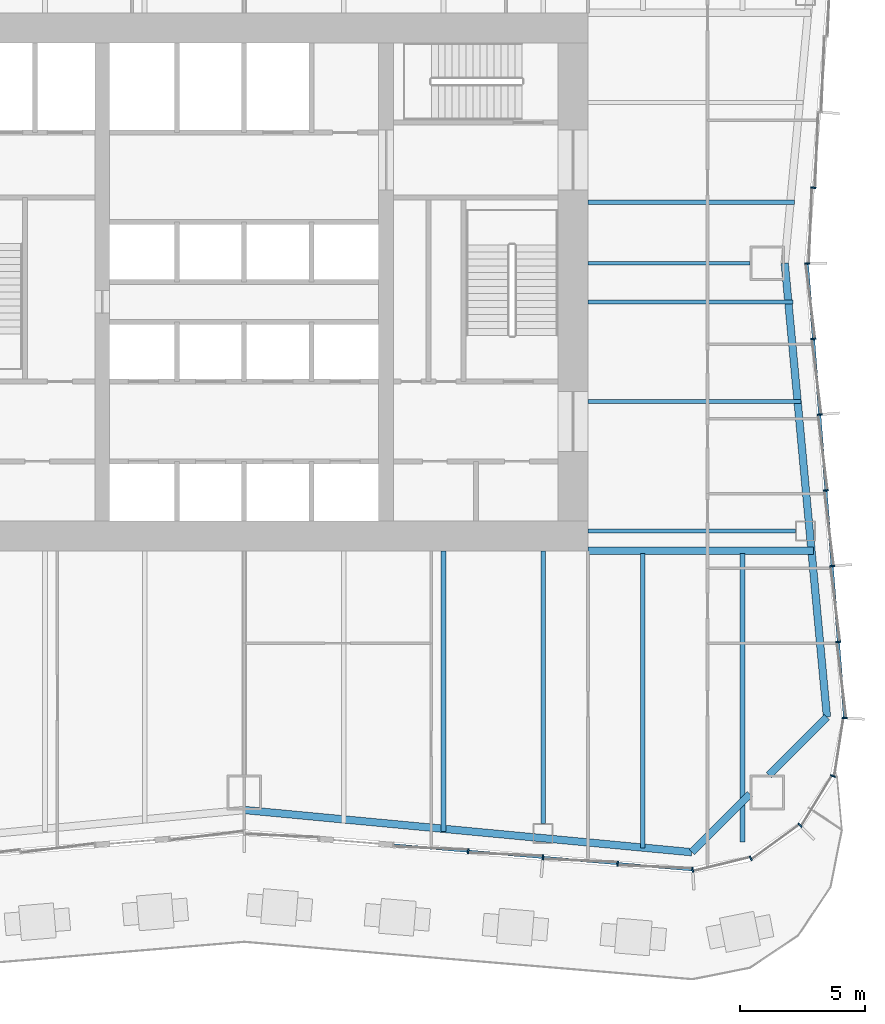
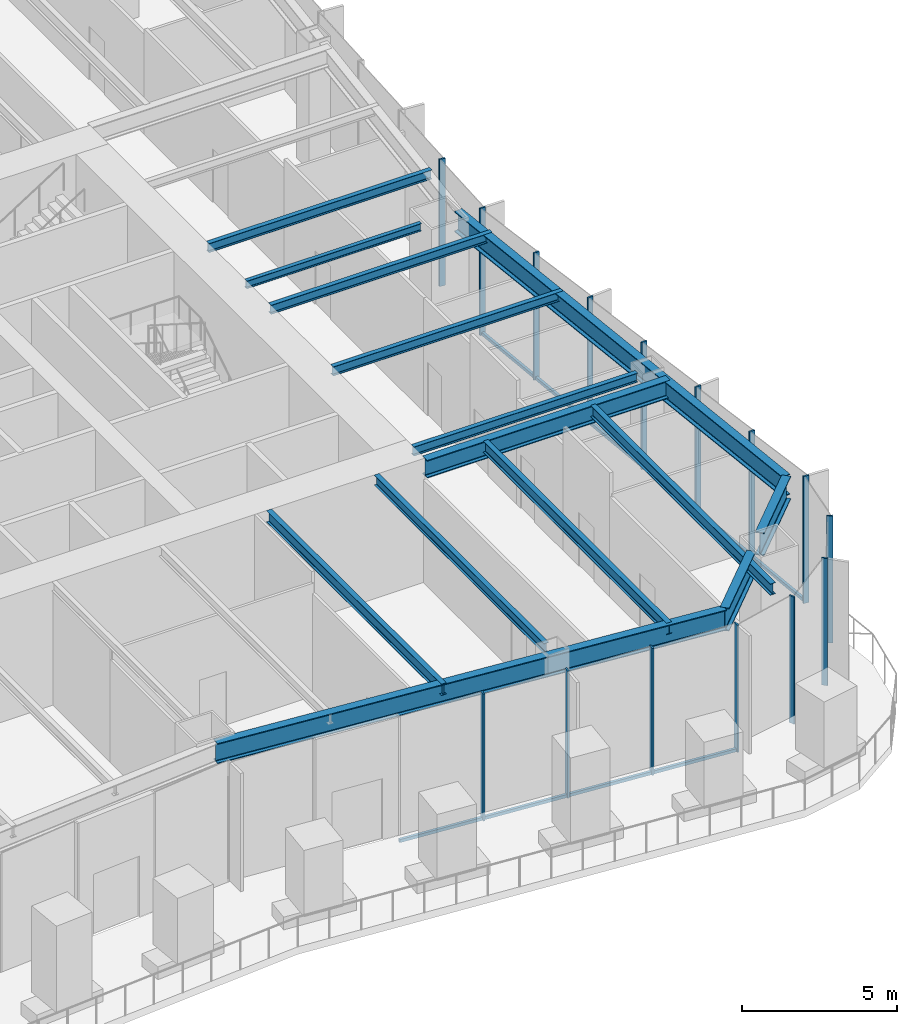
# One storey, part 4 of 15: 17 members, 14 beams, 3 elements without a shape of their own.
"""IFC4 building model written with IfcOpenShell, lengths in metres."""

from ifc_helpers import new_model, si_unit, direction, frame, origin, origin_2d, place, context, subcontext, project, spatial, rectangle, i_section, extrude, material, material_profile, profile_set, type_object, element, aggregate, save


model = new_model("IFC4")

# Units and contexts
model_context = context("Model", 3, precision=1e-05, world=origin(), true_north=direction((0.0, 1.0)))
body_context = subcontext(model_context, "Body", "Model", "MODEL_VIEW")
ifc_project = project(units=[si_unit("LENGTHUNIT", "METRE"), si_unit("AREAUNIT", "SQUARE_METRE"), si_unit("VOLUMEUNIT", "CUBIC_METRE"), si_unit("PLANEANGLEUNIT", "RADIAN"), si_unit("MASSUNIT", "GRAM", prefix="KILO")], contexts=[model_context])

# Site, building, storey
site_placement = place(None, origin())
site = spatial("IfcSite", under=ifc_project, at=site_placement, CompositionType="ELEMENT")
building_placement = place(site_placement, origin())
building = spatial("IfcBuilding", under=site, at=building_placement, Name="Verdant Reach Tower", CompositionType="ELEMENT")
storey_placement = place(building_placement, frame((0.0, 0.0, 65.0)))
storey = spatial("IfcBuildingStorey", under=building, at=storey_placement, Name="L14", CompositionType="ELEMENT", Elevation=65.0)

# Curtain wall, members
ifc_material_1 = material(Name="Anodised aluminium", Category="aluminium")
curtain_wall_type = type_object("IfcCurtainWallType", Name="EN-CW SYSTEM Z1", PredefinedType="NOTDEFINED", material=ifc_material_1)
curtain_wall_1_placement = place(storey_placement, origin())
curtain_wall_1 = element("IfcCurtainWall", 1, at=curtain_wall_1_placement, inside=storey, type_object=curtain_wall_type, Name="Curtain wall south-east corner, L14", PredefinedType="NOTDEFINED")
ifc_material_profile_1 = material_profile(ifc_material_1, rectangle(XDim=0.2060546875, YDim=0.06201171875, at=origin_2d()), Name="Mullion 62x206")
ifc_profile_set_1 = profile_set([ifc_material_profile_1], Name="Anodised aluminium")
member_type_1 = type_object("IfcMemberType", Name="EN-MULLION Z1", PredefinedType="MULLION", material=ifc_profile_set_1)
member_1_placement = place(storey_placement, frame((18.005859375, 4.397216796875, -0.35009765625), z_axis=(0.0, 0.0, 1.0), x_axis=(0.056569187765, -0.998398681387, 0.0)))
member_1 = element("IfcMember", 2, at=member_1_placement, type_object=member_type_1, Name="Mullion south-east corner 1, L14", PredefinedType="MULLION", context=body_context, shape_type="SweptSolid", body=[
    extrude(rectangle(XDim=0.2060546875, YDim=0.06201171875, at=origin_2d()), origin(), (0.0, 0.0, 1.0), 5.0),
])
member_2_placement = place(storey_placement, frame((20.33544921875, 4.861572265625, -0.35009765625), z_axis=(0.0, 0.0, 1.0), x_axis=(0.382693853776, -0.923875215753, 0.0)))
member_2 = element("IfcMember", 3, at=member_2_placement, type_object=member_type_1, Name="Mullion south-east corner 2, L14", PredefinedType="MULLION", context=body_context, shape_type="SweptSolid", body=[
    extrude(rectangle(XDim=0.2060546875, YDim=0.06201171875, at=origin_2d()), origin(), (0.0, 0.0, 1.0), 5.0),
])
member_3_placement = place(storey_placement, frame((22.3154296875, 6.1845703125, -0.35009765625), z_axis=(0.0, 0.0, 1.0), x_axis=(0.707106781187, -0.707106781187, 0.0)))
member_3 = element("IfcMember", 4, at=member_3_placement, type_object=member_type_1, Name="Mullion south-east corner 3, L14", PredefinedType="MULLION", context=body_context, shape_type="SweptSolid", body=[
    extrude(rectangle(XDim=0.2060546875, YDim=0.06201171875, at=origin_2d()), origin(), (0.0, 0.0, 1.0), 5.0),
])
member_4_placement = place(storey_placement, frame((23.638427734375, 8.16455078125, -0.35009765625), z_axis=(0.0, 0.0, 1.0), x_axis=(0.923875215753, -0.382693853776, 0.0)))
member_4 = element("IfcMember", 5, at=member_4_placement, type_object=member_type_1, Name="Mullion south-east corner 4, L14", PredefinedType="MULLION", context=body_context, shape_type="SweptSolid", body=[
    extrude(rectangle(XDim=0.2060546875, YDim=0.06201171875, at=origin_2d()), origin(), (0.0, 0.0, 1.0), 5.0),
])
aggregate(curtain_wall_1, [member_1, member_2, member_3, member_4])

curtain_wall_2_placement = place(storey_placement, origin())
curtain_wall_2 = element("IfcCurtainWall", 6, at=curtain_wall_2_placement, inside=storey, type_object=curtain_wall_type, Name="Curtain wall east, L14", PredefinedType="NOTDEFINED")
member_5_placement = place(storey_placement, frame((24.102783203125, 10.494140625, -0.35009765625), z_axis=(0.0, 0.0, 1.0), x_axis=(0.998366452275, -0.057135164055, 0.0)))
member_5 = element("IfcMember", 7, at=member_5_placement, type_object=member_type_1, Name="Mullion east face part 1 1, L14", PredefinedType="MULLION", context=body_context, shape_type="SweptSolid", body=[
    extrude(rectangle(XDim=0.2060546875, YDim=0.06201171875, at=origin_2d()), origin(), (0.0, 0.0, 1.0), 5.0),
])
member_6_placement = place(storey_placement, frame((23.8525390625, 13.550048828125, -0.35009765625), z_axis=(0.0, 0.0, 1.0), x_axis=(0.996639273542, 0.081915556724, 0.0)))
member_6 = element("IfcMember", 8, at=member_6_placement, type_object=member_type_1, Name="Mullion east face part 1 2, L14", PredefinedType="MULLION", context=body_context, shape_type="SweptSolid", body=[
    extrude(rectangle(XDim=0.2060546875, YDim=0.06201171875, at=origin_2d()), origin(), (0.0, 0.0, 1.0), 5.0),
])
member_7_placement = place(storey_placement, frame((23.6025390625, 16.591796875, -0.35009765625), z_axis=(0.0, 0.0, 1.0), x_axis=(0.996639273542, 0.081915556724, 0.0)))
member_7 = element("IfcMember", 9, at=member_7_placement, type_object=member_type_1, Name="Mullion east face part 1 3, L14", PredefinedType="MULLION", context=body_context, shape_type="SweptSolid", body=[
    extrude(rectangle(XDim=0.2060546875, YDim=0.06201171875, at=origin_2d()), origin(), (0.0, 0.0, 1.0), 5.0),
])
member_8_placement = place(storey_placement, frame((23.3525390625, 19.633544921875, -0.35009765625), z_axis=(0.0, 0.0, 1.0), x_axis=(0.996639273542, 0.081915556724, 0.0)))
member_8 = element("IfcMember", 10, at=member_8_placement, type_object=member_type_1, Name="Mullion east face part 1 4, L14", PredefinedType="MULLION", context=body_context, shape_type="SweptSolid", body=[
    extrude(rectangle(XDim=0.2060546875, YDim=0.06201171875, at=origin_2d()), origin(), (0.0, 0.0, 1.0), 5.0),
])
member_9_placement = place(storey_placement, frame((23.1025390625, 22.675048828125, -0.35009765625), z_axis=(0.0, 0.0, 1.0), x_axis=(0.996639273542, 0.081915556724, 0.0)))
member_9 = element("IfcMember", 11, at=member_9_placement, type_object=member_type_1, Name="Mullion east face part 1 5, L14", PredefinedType="MULLION", context=body_context, shape_type="SweptSolid", body=[
    extrude(rectangle(XDim=0.2060546875, YDim=0.06201171875, at=origin_2d()), origin(), (0.0, 0.0, 1.0), 5.0),
])
member_10_placement = place(storey_placement, frame((22.8525390625, 25.716796875, -0.35009765625), z_axis=(0.0, 0.0, 1.0), x_axis=(0.996639273542, 0.081915556724, 0.0)))
member_10 = element("IfcMember", 12, at=member_10_placement, type_object=member_type_1, Name="Mullion east face part 1 6, L14", PredefinedType="MULLION", context=body_context, shape_type="SweptSolid", body=[
    extrude(rectangle(XDim=0.2060546875, YDim=0.06201171875, at=origin_2d()), origin(), (0.0, 0.0, 1.0), 5.0),
])
member_11_placement = place(storey_placement, frame((22.60302734375, 28.75, -0.35009765625), z_axis=(0.0, 0.0, 1.0), x_axis=(1.0, 0.0, 0.0)))
member_11 = element("IfcMember", 13, at=member_11_placement, type_object=member_type_1, Name="Mullion east face part 2 1, L14", PredefinedType="MULLION", context=body_context, shape_type="SweptSolid", body=[
    extrude(rectangle(XDim=0.2060546875, YDim=0.06201171875, at=origin_2d()), origin(), (0.0, 0.0, 1.0), 5.0),
])
member_12_placement = place(storey_placement, frame((22.8525390625, 31.783203125, -0.35009765625), z_axis=(0.0, 0.0, 1.0), x_axis=(0.996639273542, -0.081915556724, 0.0)))
member_12 = element("IfcMember", 14, at=member_12_placement, type_object=member_type_1, Name="Mullion east face part 2 2, L14", PredefinedType="MULLION", context=body_context, shape_type="SweptSolid", body=[
    extrude(rectangle(XDim=0.2060546875, YDim=0.06201171875, at=origin_2d()), origin(), (0.0, 0.0, 1.0), 5.0),
])

curtain_wall_3_placement = place(storey_placement, origin())
curtain_wall_3 = element("IfcCurtainWall", 15, at=curtain_wall_3_placement, inside=storey, type_object=curtain_wall_type, Name="Curtain wall south, L14", PredefinedType="NOTDEFINED")
member_13_placement = place(storey_placement, frame((8.991455078125, 5.1474609375, -0.35009765625), z_axis=(0.0, 0.0, 1.0), x_axis=(-0.083045479859, -0.996545758244, 0.0)))
member_13 = element("IfcMember", 16, at=member_13_placement, type_object=member_type_1, Name="Mullion south face part 2 4, L14", PredefinedType="MULLION", context=body_context, shape_type="SweptSolid", body=[
    extrude(rectangle(XDim=0.2060546875, YDim=0.06201171875, at=origin_2d()), origin(), (0.0, 0.0, 1.0), 5.0),
])
member_14_placement = place(storey_placement, frame((11.991455078125, 4.8974609375, -0.35009765625), z_axis=(0.0, 0.0, 1.0), x_axis=(-0.083045479859, -0.996545758244, 0.0)))
member_14 = element("IfcMember", 17, at=member_14_placement, type_object=member_type_1, Name="Mullion south face part 2 5, L14", PredefinedType="MULLION", context=body_context, shape_type="SweptSolid", body=[
    extrude(rectangle(XDim=0.2060546875, YDim=0.06201171875, at=origin_2d()), origin(), (0.0, 0.0, 1.0), 5.0),
])
member_15_placement = place(storey_placement, frame((14.991455078125, 4.6474609375, -0.35009765625), z_axis=(0.0, 0.0, 1.0), x_axis=(-0.083045479859, -0.996545758244, 0.0)))
member_15 = element("IfcMember", 18, at=member_15_placement, type_object=member_type_1, Name="Mullion south face part 2 6, L14", PredefinedType="MULLION", context=body_context, shape_type="SweptSolid", body=[
    extrude(rectangle(XDim=0.2060546875, YDim=0.06201171875, at=origin_2d()), origin(), (0.0, 0.0, 1.0), 5.0),
])

# Member
ifc_material_profile_2 = material_profile(ifc_material_1, rectangle(XDim=0.10009765625, YDim=0.1220703125, at=origin_2d()), Name="Transom 122x100")
ifc_profile_set_2 = profile_set([ifc_material_profile_2], Name="Anodised aluminium")
member_type_2 = type_object("IfcMemberType", Name="EN-TRANSOM Z1", PredefinedType="USERDEFINED", material=ifc_profile_set_2)
member_16_placement = place(storey_placement, frame((24.100341796875, 10.52490234375, -0.2890625), z_axis=(-0.081886623329, 0.996641651207, 0.0), x_axis=(-0.996641651207, -0.081886623329, 0.0)))
member_16 = element("IfcMember", 19, at=member_16_placement, type_object=member_type_2, Name="Transom east face part 1 1.1, L14", ObjectType="TRANSOM", PredefinedType="USERDEFINED", context=body_context, shape_type="SweptSolid", body=[
    extrude(rectangle(XDim=0.10009765625, YDim=0.1220703125, at=origin_2d()), origin(), (0.0, 0.0, 1.0), 18.25537109375),
])

aggregate(curtain_wall_2, [member_5, member_6, member_7, member_8, member_9, member_10, member_16, member_11, member_12])

member_17_placement = place(storey_placement, frame((6.0224609375, 5.394775390625, -0.2890625), z_axis=(0.996552072636, -0.082969672326, 0.0), x_axis=(0.082969672326, 0.996552072636, 0.0)))
member_17 = element("IfcMember", 20, at=member_17_placement, type_object=member_type_2, Name="Transom south face part 2 2.1, L14", ObjectType="TRANSOM", PredefinedType="USERDEFINED", context=body_context, shape_type="SweptSolid", body=[
    extrude(rectangle(XDim=0.10009765625, YDim=0.1220703125, at=origin_2d()), origin(), (0.0, 0.0, 1.0), 11.99365234375),
])

aggregate(curtain_wall_3, [member_13, member_14, member_15, member_17])

# Beams
ifc_material_2 = material(Name="Steel S355", Category="steel")
ifc_material_profile_3 = material_profile(ifc_material_2, i_section(OverallWidth=0.300048828125, OverallDepth=0.699951171875, WebThickness=0.01708984375, FlangeThickness=0.031982421875, FilletRadius=0.027099609375, at=origin_2d()), Name="HEB 700")
ifc_profile_set_3 = profile_set([ifc_material_profile_3], Name="Steel S355")
beam_type_1 = type_object("IfcBeamType", Name="ST-BEAM-HEB700", PredefinedType="BEAM", material=ifc_profile_set_3)
beam_1_placement = place(storey_placement, frame((13.800048828125, 17.199951171875, 4.52001953125), z_axis=(1.0, 0.0, 0.0), x_axis=(0.0, 1.0, 0.0)))
element("IfcBeam", 21, at=beam_1_placement, inside=storey, type_object=beam_type_1, Name="Trimmer beam, L14", PredefinedType="BEAM", context=body_context, shape_type="SweptSolid", body=[
    extrude(i_section(OverallWidth=0.300048828125, OverallDepth=0.699951171875, WebThickness=0.01708984375, FlangeThickness=0.031982421875, FilletRadius=0.027099609375, at=origin_2d()), origin(), (0.0, 0.0, 1.0), 9.04736328125),
])
ifc_material_profile_4 = material_profile(ifc_material_2, i_section(OverallWidth=0.14990234375, OverallDepth=0.300048828125, WebThickness=0.007080078125, FlangeThickness=0.0107421875, FilletRadius=0.014892578125, at=origin_2d()), Name="IPE 300")
ifc_profile_set_4 = profile_set([ifc_material_profile_4], Name="Steel S355")
beam_type_2 = type_object("IfcBeamType", Name="ST-JOIST-IPE300", PredefinedType="JOIST", material=ifc_profile_set_4)
beam_2_placement = place(storey_placement, frame((13.800048828125, 28.75, 4.719970703125), z_axis=(1.0, 0.0, 0.0), x_axis=(0.0, 1.0, 0.0)))
element("IfcBeam", 22, at=beam_2_placement, inside=storey, type_object=beam_type_2, Name="Floor joist, L14", PredefinedType="JOIST", context=body_context, shape_type="SweptSolid", body=[
    extrude(i_section(OverallWidth=0.14990234375, OverallDepth=0.300048828125, WebThickness=0.007080078125, FlangeThickness=0.0107421875, FilletRadius=0.014892578125, at=origin_2d()), origin(), (0.0, 0.0, 1.0), 6.5),
])
ifc_material_profile_5 = material_profile(ifc_material_2, i_section(OverallWidth=0.169921875, OverallDepth=0.360107421875, WebThickness=0.008056640625, FlangeThickness=0.0126953125, FilletRadius=0.01806640625, at=origin_2d()), Name="IPE 360")
ifc_profile_set_5 = profile_set([ifc_material_profile_5], Name="Steel S355")
beam_type_3 = type_object("IfcBeamType", Name="ST-JOIST-IPE360", PredefinedType="JOIST", material=ifc_profile_set_5)
beam_3_placement = place(storey_placement, frame((13.800048828125, 18.0, 4.68994140625), z_axis=(1.0, 0.0, 0.0), x_axis=(0.0, 1.0, 0.0)))
element("IfcBeam", 23, at=beam_3_placement, inside=storey, type_object=beam_type_3, Name="Floor joist, L14", PredefinedType="JOIST", context=body_context, shape_type="SweptSolid", body=[
    extrude(i_section(OverallWidth=0.169921875, OverallDepth=0.360107421875, WebThickness=0.008056640625, FlangeThickness=0.0126953125, FilletRadius=0.01806640625, at=origin_2d()), origin(), (0.0, 0.0, 1.0), 8.33349609375),
])
beam_4_placement = place(storey_placement, frame((13.800048828125, 23.199951171875, 4.68994140625), z_axis=(1.0, 0.0, 0.0), x_axis=(0.0, 1.0, 0.0)))
element("IfcBeam", 24, at=beam_4_placement, inside=storey, type_object=beam_type_3, Name="Floor joist, L14", PredefinedType="JOIST", context=body_context, shape_type="SweptSolid", body=[
    extrude(i_section(OverallWidth=0.169921875, OverallDepth=0.360107421875, WebThickness=0.008056640625, FlangeThickness=0.0126953125, FilletRadius=0.01806640625, at=origin_2d()), origin(), (0.0, 0.0, 1.0), 8.553955078125),
])
beam_5_placement = place(storey_placement, frame((13.800048828125, 27.199951171875, 4.68994140625), z_axis=(1.0, 0.0, 0.0), x_axis=(0.0, 1.0, 0.0)))
element("IfcBeam", 25, at=beam_5_placement, inside=storey, type_object=beam_type_3, Name="Floor joist, L14", PredefinedType="JOIST", context=body_context, shape_type="SweptSolid", body=[
    extrude(i_section(OverallWidth=0.169921875, OverallDepth=0.360107421875, WebThickness=0.008056640625, FlangeThickness=0.0126953125, FilletRadius=0.01806640625, at=origin_2d()), origin(), (0.0, 0.0, 1.0), 8.225341796875),
])
beam_6_placement = place(storey_placement, frame((13.800048828125, 31.199951171875, 4.68994140625), z_axis=(1.0, 0.0, 0.0), x_axis=(0.0, 1.0, 0.0)))
element("IfcBeam", 26, at=beam_6_placement, inside=storey, type_object=beam_type_3, Name="Floor joist, L14", PredefinedType="JOIST", context=body_context, shape_type="SweptSolid", body=[
    extrude(i_section(OverallWidth=0.169921875, OverallDepth=0.360107421875, WebThickness=0.008056640625, FlangeThickness=0.0126953125, FilletRadius=0.01806640625, at=origin_2d()), origin(), (0.0, 0.0, 1.0), 8.29931640625),
])
ifc_material_profile_6 = material_profile(ifc_material_2, i_section(OverallWidth=0.179931640625, OverallDepth=0.39990234375, WebThickness=0.008544921875, FlangeThickness=0.013427734375, FilletRadius=0.02099609375, at=origin_2d()), Name="IPE 400")
ifc_profile_set_6 = profile_set([ifc_material_profile_6], Name="Steel S355")
beam_type_4 = type_object("IfcBeamType", Name="ST-JOIST-IPE400", PredefinedType="JOIST", material=ifc_profile_set_6)
beam_7_placement = place(storey_placement, frame((12.0, 17.199951171875, 4.669921875), z_axis=(0.0, -1.0, 0.0), x_axis=(1.0, 0.0, 0.0)))
element("IfcBeam", 27, at=beam_7_placement, inside=storey, type_object=beam_type_4, Name="Floor joist, L14", PredefinedType="JOIST", context=body_context, shape_type="SweptSolid", body=[
    extrude(i_section(OverallWidth=0.179931640625, OverallDepth=0.39990234375, WebThickness=0.008544921875, FlangeThickness=0.013427734375, FilletRadius=0.02099609375, at=origin_2d()), origin(), (0.0, 0.0, 1.0), 10.949951171875),
])
ifc_material_profile_7 = material_profile(ifc_material_2, i_section(OverallWidth=0.18994140625, OverallDepth=0.449951171875, WebThickness=0.009521484375, FlangeThickness=0.0146484375, FilletRadius=0.02099609375, at=origin_2d()), Name="IPE 450")
ifc_profile_set_7 = profile_set([ifc_material_profile_7], Name="Steel S355")
beam_type_5 = type_object("IfcBeamType", Name="ST-JOIST-IPE450", PredefinedType="JOIST", material=ifc_profile_set_7)
beam_8_placement = place(storey_placement, frame((8.0, 17.199951171875, 4.64501953125), z_axis=(0.0, -1.0, 0.0), x_axis=(1.0, 0.0, 0.0)))
element("IfcBeam", 28, at=beam_8_placement, inside=storey, type_object=beam_type_5, Name="Floor joist, L14", PredefinedType="JOIST", context=body_context, shape_type="SweptSolid", body=[
    extrude(i_section(OverallWidth=0.18994140625, OverallDepth=0.449951171875, WebThickness=0.009521484375, FlangeThickness=0.0146484375, FilletRadius=0.02099609375, at=origin_2d()), origin(), (0.0, 0.0, 1.0), 11.2646484375),
])
beam_9_placement = place(storey_placement, frame((16.0, 17.10009765625, 4.64501953125), z_axis=(0.0, -1.0, 0.0), x_axis=(1.0, 0.0, 0.0)))
element("IfcBeam", 29, at=beam_9_placement, inside=storey, type_object=beam_type_5, Name="Floor joist, L14", PredefinedType="JOIST", context=body_context, shape_type="SweptSolid", body=[
    extrude(i_section(OverallWidth=0.18994140625, OverallDepth=0.449951171875, WebThickness=0.009521484375, FlangeThickness=0.0146484375, FilletRadius=0.02099609375, at=origin_2d()), origin(), (0.0, 0.0, 1.0), 11.831298828125),
])
beam_10_placement = place(storey_placement, frame((20.0, 17.10009765625, 4.64501953125), z_axis=(0.0, -1.0, 0.0), x_axis=(1.0, 0.0, 0.0)))
element("IfcBeam", 30, at=beam_10_placement, inside=storey, type_object=beam_type_5, Name="Floor joist, L14", PredefinedType="JOIST", context=body_context, shape_type="SweptSolid", body=[
    extrude(i_section(OverallWidth=0.18994140625, OverallDepth=0.449951171875, WebThickness=0.009521484375, FlangeThickness=0.0146484375, FilletRadius=0.02099609375, at=origin_2d()), origin(), (0.0, 0.0, 1.0), 11.590576171875),
])
ifc_material_profile_8 = material_profile(ifc_material_2, i_section(OverallWidth=0.300048828125, OverallDepth=0.800048828125, WebThickness=0.017578125, FlangeThickness=0.032958984375, FilletRadius=0.030029296875, at=origin_2d()), Name="HEB 800")
ifc_profile_set_8 = profile_set([ifc_material_profile_8], Name="Steel S355")
beam_type_6 = type_object("IfcBeamType", Name="ST-SPANDREL-HEB800", PredefinedType="SPANDREL", material=ifc_profile_set_8)
beam_11_placement = place(storey_placement, frame((17.9658203125, 5.10498046875, 4.469970703125), z_axis=(-0.995578571765, 0.093932462137, 0.0), x_axis=(-0.093932462137, -0.995578571765, 0.0)))
element("IfcBeam", 31, at=beam_11_placement, inside=storey, type_object=beam_type_6, Name="Edge beam, L14", PredefinedType="SPANDREL", context=body_context, shape_type="SweptSolid", body=[
    extrude(i_section(OverallWidth=0.300048828125, OverallDepth=0.800048828125, WebThickness=0.017578125, FlangeThickness=0.032958984375, FilletRadius=0.030029296875, at=origin_2d()), origin(), (0.0, 0.0, 1.0), 18.045654296875),
])
beam_12_placement = place(storey_placement, frame((21.699951171875, 28.75, 4.469970703125), z_axis=(0.092656907618, -0.995698095544, 0.0), x_axis=(0.995698095544, 0.092656907618, 0.0)))
element("IfcBeam", 32, at=beam_12_placement, inside=storey, type_object=beam_type_6, Name="Edge beam, L14", PredefinedType="SPANDREL", context=body_context, shape_type="SweptSolid", body=[
    extrude(i_section(OverallWidth=0.300048828125, OverallDepth=0.800048828125, WebThickness=0.017578125, FlangeThickness=0.032958984375, FilletRadius=0.030029296875, at=origin_2d()), origin(), (0.0, 0.0, 1.0), 18.2939453125),
])
ifc_material_profile_9 = material_profile(ifc_material_2, i_section(OverallWidth=0.302001953125, OverallDepth=0.909912109375, WebThickness=0.02099609375, FlangeThickness=0.0400390625, FilletRadius=0.030029296875, at=origin_2d()), Name="HEM 900")
ifc_profile_set_9 = profile_set([ifc_material_profile_9], Name="Steel S355")
beam_type_7 = type_object("IfcBeamType", Name="ST-SPANDREL-HEM900", PredefinedType="SPANDREL", material=ifc_profile_set_9)
beam_13_placement = place(storey_placement, frame((23.39501953125, 10.53466796875, 4.4150390625), z_axis=(-0.707069807316, -0.707143753123, 0.0), x_axis=(0.707143753123, -0.707069807316, 0.0)))
element("IfcBeam", 33, at=beam_13_placement, inside=storey, type_object=beam_type_7, Name="Edge beam, L14", PredefinedType="SPANDREL", context=body_context, shape_type="SweptSolid", body=[
    extrude(i_section(OverallWidth=0.302001953125, OverallDepth=0.909912109375, WebThickness=0.02099609375, FlangeThickness=0.0400390625, FilletRadius=0.030029296875, at=origin_2d()), origin(), (0.0, 0.0, 1.0), 3.301513671875),
])
beam_14_placement = place(storey_placement, frame((20.300048828125, 7.439208984375, 4.4150390625), z_axis=(-0.707106781187, -0.707106781187, 0.0), x_axis=(0.707106781187, -0.707106781187, 0.0)))
element("IfcBeam", 34, at=beam_14_placement, inside=storey, type_object=beam_type_7, Name="Edge beam, L14", PredefinedType="SPANDREL", context=body_context, shape_type="SweptSolid", body=[
    extrude(i_section(OverallWidth=0.302001953125, OverallDepth=0.909912109375, WebThickness=0.02099609375, FlangeThickness=0.0400390625, FilletRadius=0.030029296875, at=origin_2d()), origin(), (0.0, 0.0, 1.0), 3.301025390625),
])

save(model, "model.ifc")
